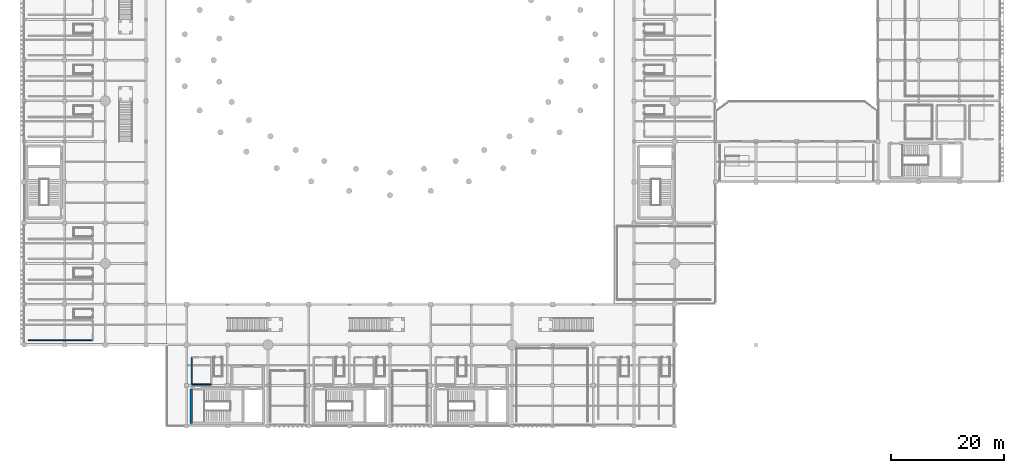
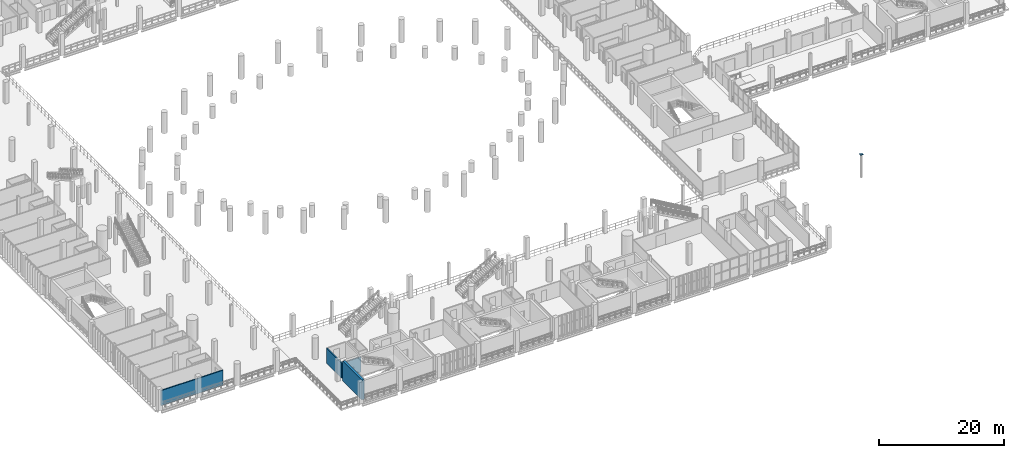
# One storey, part 100 of 130: 4 walls, 1 plate.
"""IFC4 building model written with IfcOpenShell, lengths in metres."""

from ifc_helpers import new_model, si_unit, direction, frame, frame_2d, origin, origin_2d, place, context, subcontext, project, spatial, rectangle, extrude, material, layer, layer_set, type_object, element, save


model = new_model("IFC4")

# Units and contexts
model_context = context("Model", 3, precision=1e-05, world=origin(), true_north=direction((0.0, 1.0)))
body_context = subcontext(model_context, "Body", "Model", "MODEL_VIEW")
ifc_project = project(units=[si_unit("LENGTHUNIT", "METRE"), si_unit("AREAUNIT", "SQUARE_METRE"), si_unit("VOLUMEUNIT", "CUBIC_METRE"), si_unit("PLANEANGLEUNIT", "RADIAN"), si_unit("MASSUNIT", "GRAM", prefix="KILO")], contexts=[model_context])

# Site, building, storey
site_placement = place(None, origin())
site = spatial("IfcSite", under=ifc_project, at=site_placement, CompositionType="ELEMENT")
building_placement = place(site_placement, origin())
building = spatial("IfcBuilding", under=site, at=building_placement, Name="Qandorah Velis Arena", CompositionType="ELEMENT")
storey_placement = place(building_placement, frame((0.0, 0.0, 9.60009765625)))
storey = spatial("IfcBuildingStorey", under=building, at=storey_placement, Name="L02", CompositionType="ELEMENT", Elevation=9.60009765625)

# Plate
ifc_material_1 = material(Name="Steel S355", Category="steel")
ifc_layer_1 = layer(ifc_material_1, 0.02490234375)
ifc_layer_set_1 = layer_set([ifc_layer_1], Name="Steel S355")
plate_type = type_object("IfcPlateType", Name="STR-PLT-GUS25", PredefinedType="SHEET", material=ifc_layer_set_1)
plate_placement = place(storey_placement, frame((129.60009765625, 14.39990234375, 4.458984375), z_axis=(0.0, 0.0, 1.0), x_axis=(1.0, 0.0, 0.0)))
element("IfcPlate", 1, at=plate_placement, inside=storey, type_object=plate_type, Name="Hollow column end cap plate L02-194", PredefinedType="SHEET", context=body_context, shape_type="SweptSolid", body=[
    extrude(rectangle(XDim=0.4970703125, YDim=0.4970703125, at=origin_2d()), origin(), (0.0, 0.0, 1.0), 0.02490234375),
])

# Walls
ifc_material_2 = material(Name="Concrete C35/45", Category="concrete")
ifc_layer_2 = layer(ifc_material_2, 0.199951171875)
ifc_layer_set_2 = layer_set([ifc_layer_2], Name="Concrete C35/45")
wall_type_1 = type_object("IfcWallType", Name="ARC-WAL-FD60-200", PredefinedType="PARTITIONING", material=ifc_layer_set_2)
wall_1_placement = place(storey_placement, frame((0.800048828125, 15.25, 0.0), z_axis=(0.0, 0.0, 1.0), x_axis=(1.0, 0.0, 0.0)))
element("IfcWall", 2, at=wall_1_placement, inside=storey, type_object=wall_type_1, Name="Interior partition L02-HS-01 (S)", PredefinedType="PARTITIONING", context=body_context, shape_type="SweptSolid", body=[
    extrude(rectangle(XDim=11.39990234375, YDim=0.199951171875, at=frame_2d((5.699951171875, 0.0))), origin(), (0.0, 0.0, 1.0), 2.93994140625),
])
wall_2_placement = place(storey_placement, frame((29.699951171875, 7.39990234375, 0.0), z_axis=(0.0, 0.0, 1.0), x_axis=(1.0, 0.0, 0.0)))
element("IfcWall", 3, at=wall_2_placement, inside=storey, type_object=wall_type_1, Name="Interior partition L02-HS-11 (S)", PredefinedType="PARTITIONING", context=body_context, shape_type="SweptSolid", body=[
    extrude(rectangle(XDim=3.449951171875, YDim=0.199951171875, at=frame_2d((1.72509765625, 0.0))), origin(), (0.0, 0.0, 1.0), 2.93994140625),
])
wall_3_placement = place(storey_placement, frame((29.699951171875, 12.199951171875, 0.0), z_axis=(0.0, 0.0, 1.0), x_axis=(0.0, -1.0, 0.0)))
element("IfcWall", 4, at=wall_3_placement, inside=storey, type_object=wall_type_1, Name="Interior partition L02-HS-11 (W)", PredefinedType="PARTITIONING", context=body_context, shape_type="SweptSolid", body=[
    extrude(rectangle(XDim=4.800048828125, YDim=0.199951171875, at=frame_2d((2.39990234375, 0.0))), origin(), (0.0, 0.0, 1.0), 2.93994140625),
])
ifc_material_3 = material(Name="Concrete C40/50", Category="concrete")
ifc_layer_3 = layer(ifc_material_3, 0.449951171875)
ifc_layer_set_3 = layer_set([ifc_layer_3], Name="Concrete C40/50")
wall_type_2 = type_object("IfcWallType", Name="STR-WAL-CORE450", PredefinedType="SHEAR", material=ifc_layer_set_3)
wall_4_placement = place(storey_placement, frame((29.60009765625, 0.5, 0.0), z_axis=(0.0, 0.0, 1.0), x_axis=(0.0, 1.0, 0.0)))
element("IfcWall", 5, at=wall_4_placement, inside=storey, type_object=wall_type_2, Name="Core CORE-01 shear wall W (L02)", PredefinedType="SHEAR", context=body_context, shape_type="SweptSolid", body=[
    extrude(rectangle(XDim=6.10009765625, YDim=0.449951171875, at=frame_2d((3.050048828125, 0.0))), origin(), (0.0, 0.0, 1.0), 3.8798828125),
])

save(model, "model.ifc")
